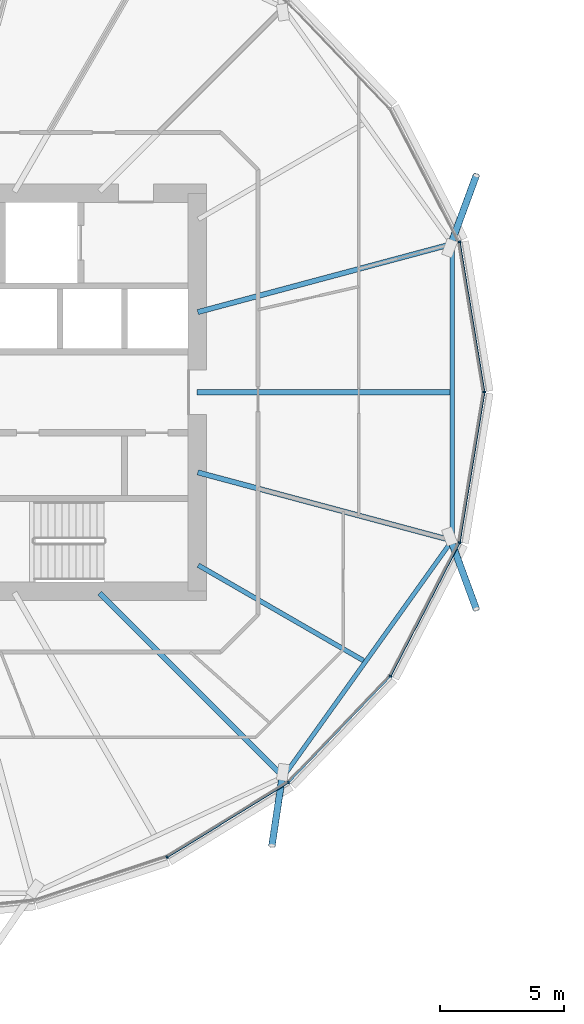
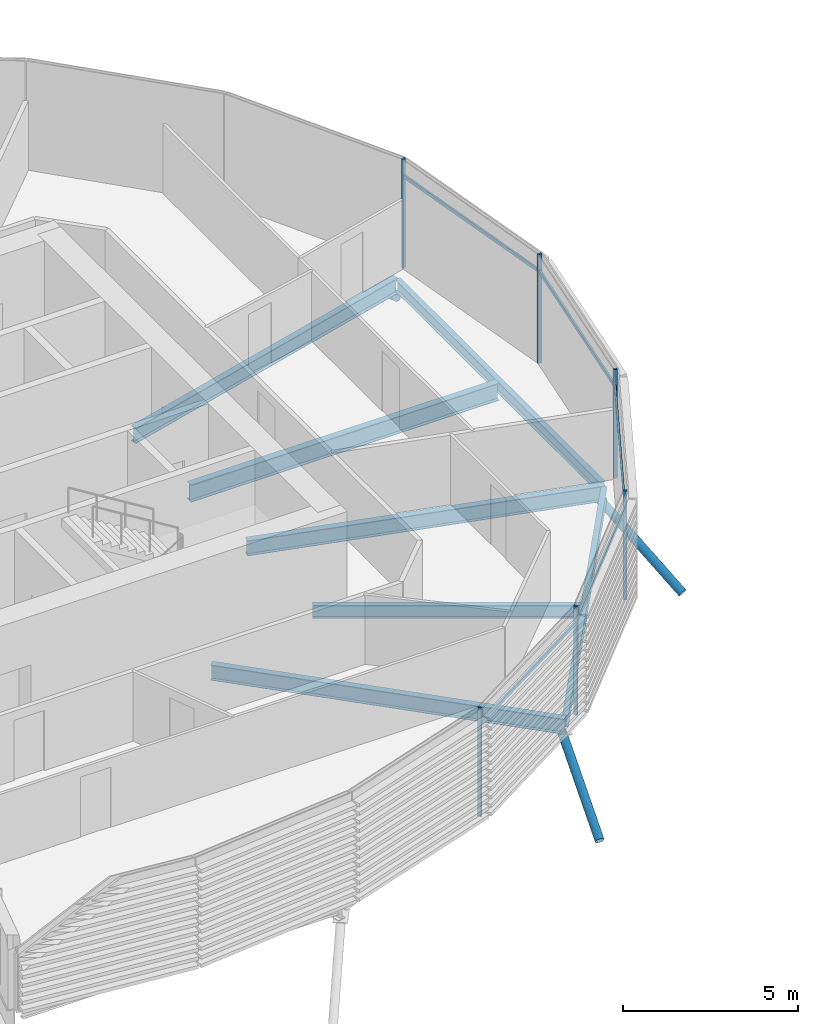
# One storey, part 7 of 39: 14 members, 7 beams, 1 element without a shape of its own.
"""IFC4 building model written with IfcOpenShell, lengths in metres."""

from ifc_helpers import new_model, si_unit, direction, frame, origin, origin_2d, place, context, subcontext, project, spatial, rectangle, hollow_circle, i_section, extrude, clip, halfspace, material, material_profile, profile_set, type_object, element, aggregate, save


model = new_model("IFC4")

# Units and contexts
model_context = context("Model", 3, precision=1e-05, world=origin(), true_north=direction((0.0, 1.0)))
body_context = subcontext(model_context, "Body", "Model", "MODEL_VIEW")
ifc_project = project(units=[si_unit("LENGTHUNIT", "METRE"), si_unit("AREAUNIT", "SQUARE_METRE"), si_unit("VOLUMEUNIT", "CUBIC_METRE"), si_unit("PLANEANGLEUNIT", "RADIAN"), si_unit("MASSUNIT", "GRAM", prefix="KILO")], contexts=[model_context])

# Site, building, storey
site_placement = place(None, origin())
site = spatial("IfcSite", under=ifc_project, at=site_placement, CompositionType="ELEMENT")
building_placement = place(site_placement, origin())
building = spatial("IfcBuilding", under=site, at=building_placement, Name="Rimbun Link Towers", CompositionType="ELEMENT")
storey_placement = place(building_placement, frame((0.0, 0.0, 100.60009765625)))
storey = spatial("IfcBuildingStorey", under=building, at=storey_placement, Name="L24", CompositionType="ELEMENT", Elevation=100.60009765625)

# Curtain wall, members
ifc_material_1 = material(Name="Aluminium 6063-T6 and low-iron glass", Category="aluminium")
curtain_wall_type = type_object("IfcCurtainWallType", Name="CW1-Z2 unitised vision wall (zone 2)", PredefinedType="NOTDEFINED", material=ifc_material_1)
curtain_wall_placement = place(storey_placement, origin())
curtain_wall = element("IfcCurtainWall", 1, at=curtain_wall_placement, inside=storey, type_object=curtain_wall_type, Name="CW1 L24 T1", PredefinedType="NOTDEFINED")
ifc_material_2 = material(Name="Aluminium 6063-T6", Category="aluminium")
ifc_material_profile_1 = material_profile(ifc_material_2, rectangle(XDim=0.1201171875, YDim=0.06005859375, at=origin_2d()), Name="MULLION 60X120")
ifc_profile_set_1 = profile_set([ifc_material_profile_1], Name="Aluminium 6063-T6")
member_type_1 = type_object("IfcMemberType", Name="CW1 mullion 60X120", PredefinedType="MULLION", material=ifc_profile_set_1)
member_1_placement = place(storey_placement, frame((-9.190185546875, 6.048583984375, 0.0), z_axis=(0.0, 0.0, 1.0), x_axis=(0.949160557063, 0.314792371122, 0.0)))
member_1 = element("IfcMember", 2, at=member_1_placement, type_object=member_type_1, Name="CW1 mullion", PredefinedType="MULLION", context=body_context, shape_type="SweptSolid", body=[
    extrude(rectangle(XDim=0.1201171875, YDim=0.06005859375, at=origin_2d()), origin(), (0.0, 0.0, 1.0), 3.7998046875),
])
member_2_placement = place(storey_placement, frame((-8.19580078125, 0.0, 0.0), z_axis=(0.0, 0.0, 1.0), x_axis=(1.0, 0.0, 0.0)))
member_2 = element("IfcMember", 3, at=member_2_placement, type_object=member_type_1, Name="CW1 mullion", PredefinedType="MULLION", context=body_context, shape_type="SweptSolid", body=[
    extrude(rectangle(XDim=0.1201171875, YDim=0.06005859375, at=origin_2d()), origin(), (0.0, 0.0, 1.0), 3.7998046875),
])
member_3_placement = place(storey_placement, frame((-20.959716796875, -18.699951171875, 0.0), z_axis=(0.0, 0.0, 1.0), x_axis=(0.421698890318, -0.906735929532, 0.0)))
member_3 = element("IfcMember", 4, at=member_3_placement, type_object=member_type_1, Name="CW1 mullion", PredefinedType="MULLION", context=body_context, shape_type="SweptSolid", body=[
    extrude(rectangle(XDim=0.1201171875, YDim=0.06005859375, at=origin_2d()), origin(), (0.0, 0.0, 1.0), 3.7998046875),
])
member_4_placement = place(storey_placement, frame((-16.064697265625, -15.6943359375, 0.0), z_axis=(0.0, 0.0, 1.0), x_axis=(0.627674945786, -0.778475537466, 0.0)))
member_4 = element("IfcMember", 5, at=member_4_placement, type_object=member_type_1, Name="CW1 mullion", PredefinedType="MULLION", context=body_context, shape_type="SweptSolid", body=[
    extrude(rectangle(XDim=0.1201171875, YDim=0.06005859375, at=origin_2d()), origin(), (0.0, 0.0, 1.0), 3.7998046875),
])
member_5_placement = place(storey_placement, frame((-11.972412109375, -11.42529296875, 0.0), z_axis=(0.0, 0.0, 1.0), x_axis=(0.813351214919, -0.581772980801, 0.0)))
member_5 = element("IfcMember", 6, at=member_5_placement, type_object=member_type_1, Name="CW1 mullion", PredefinedType="MULLION", context=body_context, shape_type="SweptSolid", body=[
    extrude(rectangle(XDim=0.1201171875, YDim=0.06005859375, at=origin_2d()), origin(), (0.0, 0.0, 1.0), 3.7998046875),
])
member_6_placement = place(storey_placement, frame((-9.190185546875, -6.048583984375, 0.0), z_axis=(0.0, 0.0, 1.0), x_axis=(0.949160557063, -0.314792371122, 0.0)))
member_6 = element("IfcMember", 7, at=member_6_placement, type_object=member_type_1, Name="CW1 mullion", PredefinedType="MULLION", context=body_context, shape_type="SweptSolid", body=[
    extrude(rectangle(XDim=0.1201171875, YDim=0.06005859375, at=origin_2d()), origin(), (0.0, 0.0, 1.0), 3.7998046875),
])
ifc_material_3 = material(Name="Aluminium 6063-T6", Category="aluminium")
ifc_material_profile_2 = material_profile(ifc_material_3, rectangle(XDim=0.06005859375, YDim=0.1201171875, at=origin_2d()), Name="TRANSOM 60X120")
ifc_profile_set_2 = profile_set([ifc_material_profile_2], Name="Aluminium 6063-T6")
member_type_2 = type_object("IfcMemberType", Name="CW1 transom 60X120", PredefinedType="USERDEFINED", material=ifc_profile_set_2)
member_7_placement = place(storey_placement, frame((-9.18505859375, 6.009521484375, 3.199951171875), z_axis=(0.162245888168, -0.986750359398, 0.0), x_axis=(0.986750359398, 0.162245888168, 0.0)))
member_7 = element("IfcMember", 8, at=member_7_placement, type_object=member_type_2, Name="CW1 transom", ObjectType="TRANSOM", PredefinedType="USERDEFINED", context=body_context, shape_type="SweptSolid", body=[
    extrude(rectangle(XDim=0.06005859375, YDim=0.1201171875, at=origin_2d()), origin(), (0.0, 0.0, 1.0), 6.050537109375),
])
member_8_placement = place(storey_placement, frame((-16.09765625, -15.712646484375, 3.199951171875), z_axis=(-0.852185710742, -0.52323944271, 0.0), x_axis=(0.52323944271, -0.852185710742, 0.0)))
member_8 = element("IfcMember", 9, at=member_8_placement, type_object=member_type_2, Name="CW1 transom", ObjectType="TRANSOM", PredefinedType="USERDEFINED", context=body_context, shape_type="SweptSolid", body=[
    extrude(rectangle(XDim=0.06005859375, YDim=0.1201171875, at=origin_2d()), origin(), (0.0, 0.0, 1.0), 5.669677734375),
])
member_9_placement = place(storey_placement, frame((-12.0, -11.452392578125, 3.199951171875), z_axis=(-0.692060682459, -0.72183932547, 0.0), x_axis=(0.72183932547, -0.692060682459, 0.0)))
member_9 = element("IfcMember", 10, at=member_9_placement, type_object=member_type_2, Name="CW1 transom", ObjectType="TRANSOM", PredefinedType="USERDEFINED", context=body_context, shape_type="SweptSolid", body=[
    extrude(rectangle(XDim=0.06005859375, YDim=0.1201171875, at=origin_2d()), origin(), (0.0, 0.0, 1.0), 5.83740234375),
])
member_10_placement = place(storey_placement, frame((-9.20947265625, -6.0830078125, 3.199951171875), z_axis=(-0.459557391844, -0.888148075268, 0.0), x_axis=(0.888148075268, -0.459557391844, 0.0)))
member_10 = element("IfcMember", 11, at=member_10_placement, type_object=member_type_2, Name="CW1 transom", ObjectType="TRANSOM", PredefinedType="USERDEFINED", context=body_context, shape_type="SweptSolid", body=[
    extrude(rectangle(XDim=0.06005859375, YDim=0.1201171875, at=origin_2d()), origin(), (0.0, 0.0, 1.0), 5.97607421875),
])
member_11_placement = place(storey_placement, frame((-8.203369140625, -0.0390625, 3.199951171875), z_axis=(-0.162245888168, -0.986750359398, 0.0), x_axis=(0.986750359398, -0.162245888168, 0.0)))
member_11 = element("IfcMember", 12, at=member_11_placement, type_object=member_type_2, Name="CW1 transom", ObjectType="TRANSOM", PredefinedType="USERDEFINED", context=body_context, shape_type="SweptSolid", body=[
    extrude(rectangle(XDim=0.06005859375, YDim=0.1201171875, at=origin_2d()), origin(), (0.0, 0.0, 1.0), 6.050537109375),
])
aggregate(curtain_wall, [member_1, member_2, member_3, member_4, member_5, member_6, member_7, member_8, member_9, member_10, member_11])

# Members
ifc_material_4 = material(Name="Steel S355J2H", Category="steel")
ifc_material_profile_3 = material_profile(ifc_material_4, hollow_circle(Radius=0.136474609375, WallThickness=0.012451171875, at=origin_2d()), Name="CHS 273x12.5")
ifc_profile_set_3 = profile_set([ifc_material_profile_3], Name="Steel S355J2H")
member_type_3 = type_object("IfcMemberType", Name="Floor edge link CHS 273x12.5", PredefinedType="BRACE", material=ifc_profile_set_3)
member_12_placement = place(storey_placement, frame((-9.542724609375, 5.950439453125, -0.809814453125), z_axis=(0.294903192807, 0.80019035149, -0.522233193367), x_axis=(-0.938306510807, 0.345804701786, 0.0)))
element("IfcMember", 13, at=member_12_placement, inside=storey, type_object=member_type_3, Name="Floor edge link T1 L24 01", PredefinedType="BRACE", context=body_context, shape_type="Clipping", body=[
    clip(extrude(hollow_circle(Radius=0.136474609375, WallThickness=0.012451171875, at=origin_2d()), frame((0.0, 0.0, -0.465087890625)), (0.0, 0.0, 1.0), 3.93701171875), halfspace(frame((0.0, 0.0, -0.219482421875), z_axis=(0.0, 0.852802727332, -0.522233193367)), False)),
])
member_13_placement = place(storey_placement, frame((-16.319580078125, -15.430419921875, -0.80859375), z_axis=(-0.125415670754, -0.834800322601, -0.536077728426), x_axis=(0.988902331728, -0.148567083512, 0.0)))
element("IfcMember", 14, at=member_13_placement, inside=storey, type_object=member_type_3, Name="Floor edge link T1 L24 21", PredefinedType="BRACE", context=body_context, shape_type="Clipping", body=[
    clip(extrude(hollow_circle(Radius=0.136474609375, WallThickness=0.012451171875, at=origin_2d()), frame((0.0, 0.0, -0.448486328125)), (0.0, 0.0, 1.0), 3.818359375), halfspace(frame((0.0, 0.0, -0.21142578125), z_axis=(0.0, 0.844168625978, -0.536077728426)), False)),
])
member_14_placement = place(storey_placement, frame((-9.542724609375, -5.950439453125, -0.809814453125), z_axis=(0.294903192807, -0.80019035149, -0.522233193367), x_axis=(0.938306510807, 0.345804701786, 0.0)))
element("IfcMember", 15, at=member_14_placement, inside=storey, type_object=member_type_3, Name="Floor edge link T1 L24 23", PredefinedType="BRACE", context=body_context, shape_type="Clipping", body=[
    clip(extrude(hollow_circle(Radius=0.136474609375, WallThickness=0.012451171875, at=origin_2d()), frame((0.0, 0.0, -0.465087890625)), (0.0, 0.0, 1.0), 3.93701171875), halfspace(frame((0.0, 0.0, -0.219482421875), z_axis=(0.0, 0.852802727332, -0.522233193367)), False)),
])

# Beams
ifc_material_5 = material(Name="Steel S355J2", Category="steel")
ifc_material_profile_4 = material_profile(ifc_material_5, i_section(OverallWidth=0.177978515625, OverallDepth=0.406494140625, WebThickness=0.0078125, FlangeThickness=0.0126953125, at=origin_2d()), Name="UB 406x178x60")
ifc_profile_set_4 = profile_set([ifc_material_profile_4], Name="Steel S355J2")
beam_type_1 = type_object("IfcBeamType", Name="UB 406x178x60", PredefinedType="BEAM", material=ifc_profile_set_4)
beam_1_placement = place(storey_placement, frame((-16.221923828125, -15.378662109375, -0.36328125), z_axis=(0.581367171952, 0.813641328459, 0.0), x_axis=(-0.813641328459, 0.581367171952, 0.0)))
element("IfcBeam", 16, at=beam_1_placement, inside=storey, type_object=beam_type_1, Name="Edge beam T1 L24 21-23", PredefinedType="BEAM", context=body_context, shape_type="SweptSolid", body=[
    extrude(i_section(OverallWidth=0.177978515625, OverallDepth=0.406494140625, WebThickness=0.0078125, FlangeThickness=0.0126953125, at=origin_2d()), origin(), (0.0, 0.0, 1.0), 11.458984375),
])
beam_2_placement = place(storey_placement, frame((-9.494384765625, -5.85400390625, -0.36328125), z_axis=(0.0, 1.0, 0.0), x_axis=(-1.0, 0.0, 0.0)))
element("IfcBeam", 17, at=beam_2_placement, inside=storey, type_object=beam_type_1, Name="Edge beam T1 L24 23-01", PredefinedType="BEAM", context=body_context, shape_type="SweptSolid", body=[
    extrude(i_section(OverallWidth=0.177978515625, OverallDepth=0.406494140625, WebThickness=0.0078125, FlangeThickness=0.0126953125, at=origin_2d()), origin(), (0.0, 0.0, 1.0), 11.7080078125),
])
ifc_material_6 = material(Name="Steel S355J2", Category="steel")
ifc_material_profile_5 = material_profile(ifc_material_6, i_section(OverallWidth=0.18994140625, OverallDepth=0.453369140625, WebThickness=0.008544921875, FlangeThickness=0.0126953125, at=origin_2d()), Name="UB 457x191x67")
ifc_profile_set_5 = profile_set([ifc_material_profile_5], Name="Steel S355J2")
beam_type_2 = type_object("IfcBeamType", Name="UB 457x191x67", PredefinedType="BEAM", material=ifc_profile_set_5)
beam_3_placement = place(storey_placement, frame((-19.70166015625, -6.9560546875, -0.38671875), z_axis=(0.866012339475, -0.500022627366, 0.0), x_axis=(0.500022627366, 0.866012339475, 0.0)))
element("IfcBeam", 18, at=beam_3_placement, inside=storey, type_object=beam_type_2, Name="Radial beam T1 L24 22", PredefinedType="BEAM", context=body_context, shape_type="SweptSolid", body=[
    extrude(i_section(OverallWidth=0.18994140625, OverallDepth=0.453369140625, WebThickness=0.008544921875, FlangeThickness=0.0126953125, at=origin_2d()), origin(), (0.0, 0.0, 1.0), 7.674072265625),
])
ifc_material_7 = material(Name="Steel S355J2", Category="steel")
ifc_material_profile_6 = material_profile(ifc_material_7, i_section(OverallWidth=0.209228515625, OverallDepth=0.533203125, WebThickness=0.010009765625, FlangeThickness=0.015625, at=origin_2d()), Name="UB 533x210x92")
ifc_profile_set_6 = profile_set([ifc_material_profile_6], Name="Steel S355J2")
beam_type_3 = type_object("IfcBeamType", Name="UB 533x210x92", PredefinedType="BEAM", material=ifc_profile_set_6)
beam_4_placement = place(storey_placement, frame((-19.721923828125, 3.222900390625, -0.426513671875), z_axis=(0.96592540877, 0.2588206033, 0.0), x_axis=(-0.2588206033, 0.96592540877, 0.0)))
element("IfcBeam", 19, at=beam_4_placement, inside=storey, type_object=beam_type_3, Name="Radial beam T1 L24 01", PredefinedType="BEAM", context=body_context, shape_type="SweptSolid", body=[
    extrude(i_section(OverallWidth=0.209228515625, OverallDepth=0.533203125, WebThickness=0.010009765625, FlangeThickness=0.015625, at=origin_2d()), origin(), (0.0, 0.0, 1.0), 10.58837890625),
])
beam_5_placement = place(storey_placement, frame((-23.67529296875, -8.07470703125, -0.426513671875), z_axis=(0.707106781187, -0.707106781187, 0.0), x_axis=(0.707106781187, 0.707106781187, 0.0)))
element("IfcBeam", 20, at=beam_5_placement, inside=storey, type_object=beam_type_3, Name="Radial beam T1 L24 21", PredefinedType="BEAM", context=body_context, shape_type="SweptSolid", body=[
    extrude(i_section(OverallWidth=0.209228515625, OverallDepth=0.533203125, WebThickness=0.010009765625, FlangeThickness=0.015625, at=origin_2d()), origin(), (0.0, 0.0, 1.0), 10.45263671875),
])
beam_6_placement = place(storey_placement, frame((-19.721923828125, -3.222900390625, -0.426513671875), z_axis=(0.96592540877, -0.2588206033, 0.0), x_axis=(0.2588206033, 0.96592540877, 0.0)))
element("IfcBeam", 21, at=beam_6_placement, inside=storey, type_object=beam_type_3, Name="Radial beam T1 L24 23", PredefinedType="BEAM", context=body_context, shape_type="SweptSolid", body=[
    extrude(i_section(OverallWidth=0.209228515625, OverallDepth=0.533203125, WebThickness=0.010009765625, FlangeThickness=0.015625, at=origin_2d()), origin(), (0.0, 0.0, 1.0), 10.58837890625),
])
ifc_material_8 = material(Name="Steel S355J2", Category="steel")
ifc_material_profile_7 = material_profile(ifc_material_8, i_section(OverallWidth=0.2275390625, OverallDepth=0.6025390625, WebThickness=0.010498046875, FlangeThickness=0.014892578125, at=origin_2d()), Name="UB 610x229x101")
ifc_profile_set_7 = profile_set([ifc_material_profile_7], Name="Steel S355J2")
beam_type_4 = type_object("IfcBeamType", Name="UB 610x229x101", PredefinedType="BEAM", material=ifc_profile_set_7)
beam_7_placement = place(storey_placement, frame((-19.7490234375, 0.0, -0.46142578125), z_axis=(1.0, 0.0, 0.0), x_axis=(0.0, 1.0, 0.0)))
element("IfcBeam", 22, at=beam_7_placement, inside=storey, type_object=beam_type_4, Name="Radial beam T1 L24 00", PredefinedType="BEAM", context=body_context, shape_type="SweptSolid", body=[
    extrude(i_section(OverallWidth=0.2275390625, OverallDepth=0.6025390625, WebThickness=0.010498046875, FlangeThickness=0.014892578125, at=origin_2d()), origin(), (0.0, 0.0, 1.0), 10.16455078125),
])

save(model, "model.ifc")
